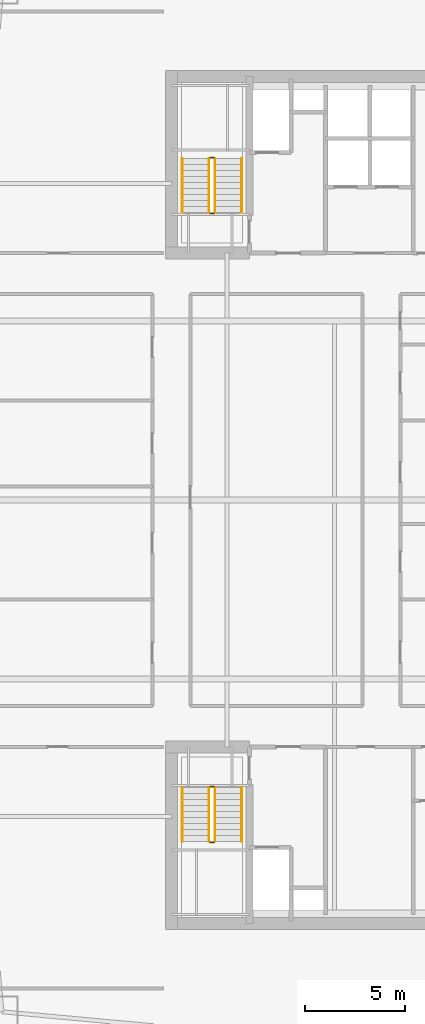
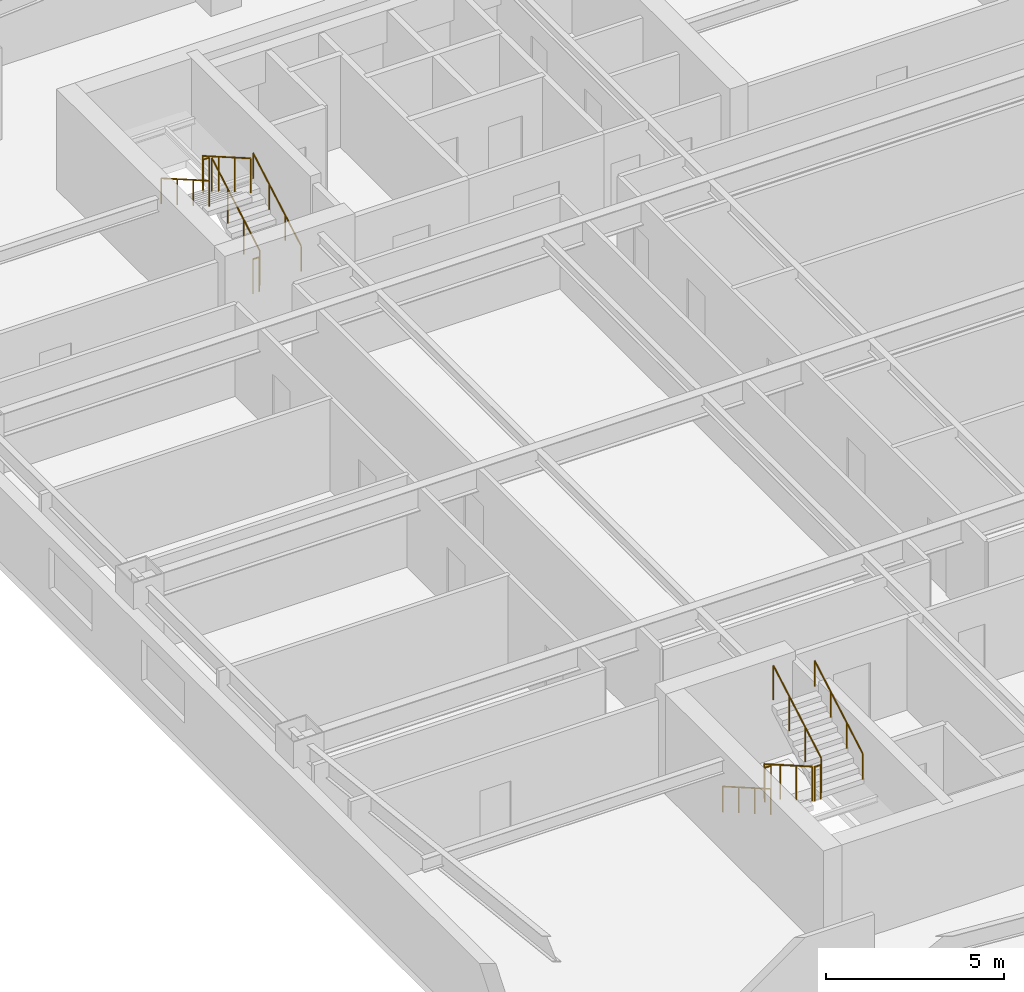
# One storey, part 10 of 11: 12 railings.
"""IFC4 building model written with IfcOpenShell, lengths in metres."""

from ifc_helpers import new_model, si_unit, direction, frame, origin, origin_2d, place, context, subcontext, project, spatial, circle, extrude, material, type_object, element, save


model = new_model("IFC4")

# Units and contexts
model_context = context("Model", 3, precision=1e-05, world=origin(), true_north=direction((0.0, 1.0)))
body_context = subcontext(model_context, "Body", "Model", "MODEL_VIEW")
ifc_project = project(units=[si_unit("LENGTHUNIT", "METRE"), si_unit("AREAUNIT", "SQUARE_METRE"), si_unit("VOLUMEUNIT", "CUBIC_METRE"), si_unit("PLANEANGLEUNIT", "RADIAN"), si_unit("MASSUNIT", "GRAM", prefix="KILO")], contexts=[model_context])

# Site, building, storey
site_placement = place(None, origin())
site = spatial("IfcSite", under=ifc_project, at=site_placement, CompositionType="ELEMENT")
building_placement = place(site_placement, origin())
building = spatial("IfcBuilding", under=site, at=building_placement, Name="Qiaolan Cultural Towers", CompositionType="ELEMENT")
storey_placement = place(building_placement, frame((0.0, 0.0, 96.60009765625)))
storey = spatial("IfcBuildingStorey", under=building, at=storey_placement, Name="L24", CompositionType="ELEMENT", Elevation=96.60009765625)

# Railings
ifc_material_1 = material(Name="Galvanized Painted Steel Stair Guardrail", Category="steel")
railing_type_1 = type_object("IfcRailingType", Name="RL-STAIR-GRD", PredefinedType="GUARDRAIL", material=ifc_material_1)
railing_1_placement = place(storey_placement, frame((23.68994140625, 19.550048828125, 0.17236328125)))
element("IfcRailing", 1, at=railing_1_placement, inside=storey, type_object=railing_type_1, Name="L24 ST-W1 stair guard 1", PredefinedType="GUARDRAIL", context=body_context, shape_type="SweptSolid", body=[
    extrude(circle(Radius=0.02392578125, at=origin_2d()), frame((0.0, 0.0, 1.17578125), z_axis=(0.0, -0.866903762492, 0.498475542607), x_axis=(1.0, 0.0, 0.0)), (0.0, 0.0, 1.0), 3.114501953125),
    extrude(circle(Radius=0.02099609375, at=origin_2d()), origin(), (0.0, 0.0, 1.0), 1.15185546875),
    extrude(circle(Radius=0.02099609375, at=origin_2d()), frame((0.0, -0.89990234375, 0.517578125)), (0.0, 0.0, 1.0), 1.15185546875),
    extrude(circle(Radius=0.02099609375, at=origin_2d()), frame((0.0, -1.800048828125, 1.034912109375)), (0.0, 0.0, 1.0), 1.15185546875),
    extrude(circle(Radius=0.02099609375, at=origin_2d()), frame((0.0, -2.699951171875, 1.552490234375)), (0.0, 0.0, 1.0), 1.15185546875),
])
railing_2_placement = place(storey_placement, frame((23.739990234375, 16.800048828125, 1.724853515625)))
element("IfcRailing", 2, at=railing_2_placement, inside=storey, type_object=railing_type_1, Name="L24 ST-W1 stair guard 2", PredefinedType="GUARDRAIL", context=body_context, shape_type="SweptSolid", body=[
    extrude(circle(Radius=0.02392578125, at=origin_2d()), frame((0.0, 0.0, 1.17578125), z_axis=(1.0, 0.0, 0.0), x_axis=(0.0, 1.0, 0.0)), (0.0, 0.0, 1.0), 0.199951171875),
    extrude(circle(Radius=0.02099609375, at=origin_2d()), origin(), (0.0, 0.0, 1.0), 1.15185546875),
    extrude(circle(Radius=0.02099609375, at=origin_2d()), frame((0.199951171875, 0.0, 0.0)), (0.0, 0.0, 1.0), 1.15185546875),
])
railing_3_placement = place(storey_placement, frame((23.989990234375, 16.85009765625, 1.8974609375)))
element("IfcRailing", 3, at=railing_3_placement, inside=storey, type_object=railing_type_1, Name="L24 ST-W1 stair guard 3", PredefinedType="GUARDRAIL", context=body_context, shape_type="SweptSolid", body=[
    extrude(circle(Radius=0.02392578125, at=origin_2d()), frame((0.0, 0.0, 1.17578125), z_axis=(0.0, 0.866903762492, 0.498475542607), x_axis=(-1.0, 0.0, 0.0)), (0.0, 0.0, 1.0), 3.114501953125),
    extrude(circle(Radius=0.02099609375, at=origin_2d()), origin(), (0.0, 0.0, 1.0), 1.15185546875),
    extrude(circle(Radius=0.02099609375, at=origin_2d()), frame((0.0, 0.89990234375, 0.517578125)), (0.0, 0.0, 1.0), 1.15185546875),
    extrude(circle(Radius=0.02099609375, at=origin_2d()), frame((0.0, 1.800048828125, 1.034912109375)), (0.0, 0.0, 1.0), 1.15185546875),
    extrude(circle(Radius=0.02099609375, at=origin_2d()), frame((0.0, 2.699951171875, 1.552490234375)), (0.0, 0.0, 1.0), 1.15185546875),
])
railing_4_placement = place(storey_placement, frame((23.739990234375, 19.60009765625, 0.0)))
element("IfcRailing", 4, at=railing_4_placement, inside=storey, type_object=railing_type_1, Name="L24 ST-W1 stair guard 4", PredefinedType="GUARDRAIL", context=body_context, shape_type="SweptSolid", body=[
    extrude(circle(Radius=0.02392578125, at=origin_2d()), frame((0.0, 0.0, 1.17578125), z_axis=(1.0, 0.0, 0.0), x_axis=(0.0, 1.0, 0.0)), (0.0, 0.0, 1.0), 0.199951171875),
    extrude(circle(Radius=0.02099609375, at=origin_2d()), origin(), (0.0, 0.0, 1.0), 1.15185546875),
    extrude(circle(Radius=0.02099609375, at=origin_2d()), frame((0.199951171875, 0.0, 0.0)), (0.0, 0.0, 1.0), 1.15185546875),
])
railing_5_placement = place(storey_placement, frame((23.989990234375, 48.449951171875, 0.17236328125)))
element("IfcRailing", 5, at=railing_5_placement, inside=storey, type_object=railing_type_1, Name="L24 ST-W2 stair guard 1", PredefinedType="GUARDRAIL", context=body_context, shape_type="SweptSolid", body=[
    extrude(circle(Radius=0.02392578125, at=origin_2d()), frame((0.0, 0.0, 1.17578125), z_axis=(0.0, 0.866903762492, 0.498475542607), x_axis=(-1.0, 0.0, 0.0)), (0.0, 0.0, 1.0), 3.114501953125),
    extrude(circle(Radius=0.02099609375, at=origin_2d()), origin(), (0.0, 0.0, 1.0), 1.15185546875),
    extrude(circle(Radius=0.02099609375, at=origin_2d()), frame((0.0, 0.89990234375, 0.517578125)), (0.0, 0.0, 1.0), 1.15185546875),
    extrude(circle(Radius=0.02099609375, at=origin_2d()), frame((0.0, 1.800048828125, 1.034912109375)), (0.0, 0.0, 1.0), 1.15185546875),
    extrude(circle(Radius=0.02099609375, at=origin_2d()), frame((0.0, 2.699951171875, 1.552490234375)), (0.0, 0.0, 1.0), 1.15185546875),
])
railing_6_placement = place(storey_placement, frame((23.93994140625, 51.199951171875, 1.724853515625)))
element("IfcRailing", 6, at=railing_6_placement, inside=storey, type_object=railing_type_1, Name="L24 ST-W2 stair guard 2", PredefinedType="GUARDRAIL", context=body_context, shape_type="SweptSolid", body=[
    extrude(circle(Radius=0.02392578125, at=origin_2d()), frame((0.0, 0.0, 1.17578125), z_axis=(-1.0, 0.0, 0.0), x_axis=(0.0, -1.0, 0.0)), (0.0, 0.0, 1.0), 0.199951171875),
    extrude(circle(Radius=0.02099609375, at=origin_2d()), origin(), (0.0, 0.0, 1.0), 1.15185546875),
    extrude(circle(Radius=0.02099609375, at=origin_2d()), frame((-0.199951171875, 0.0, 0.0)), (0.0, 0.0, 1.0), 1.15185546875),
])
railing_7_placement = place(storey_placement, frame((23.68994140625, 51.14990234375, 1.8974609375)))
element("IfcRailing", 7, at=railing_7_placement, inside=storey, type_object=railing_type_1, Name="L24 ST-W2 stair guard 3", PredefinedType="GUARDRAIL", context=body_context, shape_type="SweptSolid", body=[
    extrude(circle(Radius=0.02392578125, at=origin_2d()), frame((0.0, 0.0, 1.17578125), z_axis=(0.0, -0.866903762492, 0.498475542607), x_axis=(1.0, 0.0, 0.0)), (0.0, 0.0, 1.0), 3.114501953125),
    extrude(circle(Radius=0.02099609375, at=origin_2d()), origin(), (0.0, 0.0, 1.0), 1.15185546875),
    extrude(circle(Radius=0.02099609375, at=origin_2d()), frame((0.0, -0.89990234375, 0.517578125)), (0.0, 0.0, 1.0), 1.15185546875),
    extrude(circle(Radius=0.02099609375, at=origin_2d()), frame((0.0, -1.800048828125, 1.034912109375)), (0.0, 0.0, 1.0), 1.15185546875),
    extrude(circle(Radius=0.02099609375, at=origin_2d()), frame((0.0, -2.699951171875, 1.552490234375)), (0.0, 0.0, 1.0), 1.15185546875),
])
railing_8_placement = place(storey_placement, frame((23.93994140625, 48.39990234375, 0.0)))
element("IfcRailing", 8, at=railing_8_placement, inside=storey, type_object=railing_type_1, Name="L24 ST-W2 stair guard 4", PredefinedType="GUARDRAIL", context=body_context, shape_type="SweptSolid", body=[
    extrude(circle(Radius=0.02392578125, at=origin_2d()), frame((0.0, 0.0, 1.17578125), z_axis=(-1.0, 0.0, 0.0), x_axis=(0.0, -1.0, 0.0)), (0.0, 0.0, 1.0), 0.199951171875),
    extrude(circle(Radius=0.02099609375, at=origin_2d()), origin(), (0.0, 0.0, 1.0), 1.15185546875),
    extrude(circle(Radius=0.02099609375, at=origin_2d()), frame((-0.199951171875, 0.0, 0.0)), (0.0, 0.0, 1.0), 1.15185546875),
])
ifc_material_2 = material(Name="Stainless Steel S30408 Tubular Handrail", Category="steel")
railing_type_2 = type_object("IfcRailingType", Name="RL-STAIR-HR", PredefinedType="HANDRAIL", material=ifc_material_2)
railing_9_placement = place(storey_placement, frame((22.35009765625, 19.550048828125, 0.17236328125)))
element("IfcRailing", 9, at=railing_9_placement, inside=storey, type_object=railing_type_2, Name="L24 ST-W1 stair handrail 1", PredefinedType="HANDRAIL", context=body_context, shape_type="SweptSolid", body=[
    extrude(circle(Radius=0.02392578125, at=origin_2d()), frame((0.0, 0.0, 0.8759765625), z_axis=(0.0, -0.866903762492, 0.498475542607), x_axis=(1.0, 0.0, 0.0)), (0.0, 0.0, 1.0), 3.114501953125),
    extrude(circle(Radius=0.02099609375, at=origin_2d()), origin(), (0.0, 0.0, 1.0), 0.851806640625),
    extrude(circle(Radius=0.02099609375, at=origin_2d()), frame((0.0, -0.89990234375, 0.517578125)), (0.0, 0.0, 1.0), 0.851806640625),
    extrude(circle(Radius=0.02099609375, at=origin_2d()), frame((0.0, -1.800048828125, 1.034912109375)), (0.0, 0.0, 1.0), 0.851806640625),
    extrude(circle(Radius=0.02099609375, at=origin_2d()), frame((0.0, -2.699951171875, 1.552490234375)), (0.0, 0.0, 1.0), 0.851806640625),
])
for number, where, name in (
    (10, (25.330078125, 16.85009765625, 1.8974609375), "L24 ST-W1 stair handrail 2"),
    (11, (25.330078125, 48.449951171875, 0.17236328125), "L24 ST-W2 stair handrail 1"),
):
    element("IfcRailing", number, at=place(storey_placement, frame(where)), inside=storey, type_object=railing_type_2, Name=name, PredefinedType="HANDRAIL", context=body_context, shape_type="SweptSolid", body=[
        extrude(circle(Radius=0.02392578125, at=origin_2d()), frame((0.0, 0.0, 0.8759765625), z_axis=(0.0, 0.866903762492, 0.498475542607), x_axis=(-1.0, 0.0, 0.0)), (0.0, 0.0, 1.0), 3.114501953125),
        extrude(circle(Radius=0.02099609375, at=origin_2d()), origin(), (0.0, 0.0, 1.0), 0.851806640625),
        extrude(circle(Radius=0.02099609375, at=origin_2d()), frame((0.0, 0.89990234375, 0.517578125)), (0.0, 0.0, 1.0), 0.851806640625),
        extrude(circle(Radius=0.02099609375, at=origin_2d()), frame((0.0, 1.800048828125, 1.034912109375)), (0.0, 0.0, 1.0), 0.851806640625),
        extrude(circle(Radius=0.02099609375, at=origin_2d()), frame((0.0, 2.699951171875, 1.552490234375)), (0.0, 0.0, 1.0), 0.851806640625),
    ])
railing_10_placement = place(storey_placement, frame((22.35009765625, 51.14990234375, 1.8974609375)))
element("IfcRailing", 12, at=railing_10_placement, inside=storey, type_object=railing_type_2, Name="L24 ST-W2 stair handrail 2", PredefinedType="HANDRAIL", context=body_context, shape_type="SweptSolid", body=[
    extrude(circle(Radius=0.02392578125, at=origin_2d()), frame((0.0, 0.0, 0.8759765625), z_axis=(0.0, -0.866903762492, 0.498475542607), x_axis=(1.0, 0.0, 0.0)), (0.0, 0.0, 1.0), 3.114501953125),
    extrude(circle(Radius=0.02099609375, at=origin_2d()), origin(), (0.0, 0.0, 1.0), 0.851806640625),
    extrude(circle(Radius=0.02099609375, at=origin_2d()), frame((0.0, -0.89990234375, 0.517578125)), (0.0, 0.0, 1.0), 0.851806640625),
    extrude(circle(Radius=0.02099609375, at=origin_2d()), frame((0.0, -1.800048828125, 1.034912109375)), (0.0, 0.0, 1.0), 0.851806640625),
    extrude(circle(Radius=0.02099609375, at=origin_2d()), frame((0.0, -2.699951171875, 1.552490234375)), (0.0, 0.0, 1.0), 0.851806640625),
])

save(model, "model.ifc")
